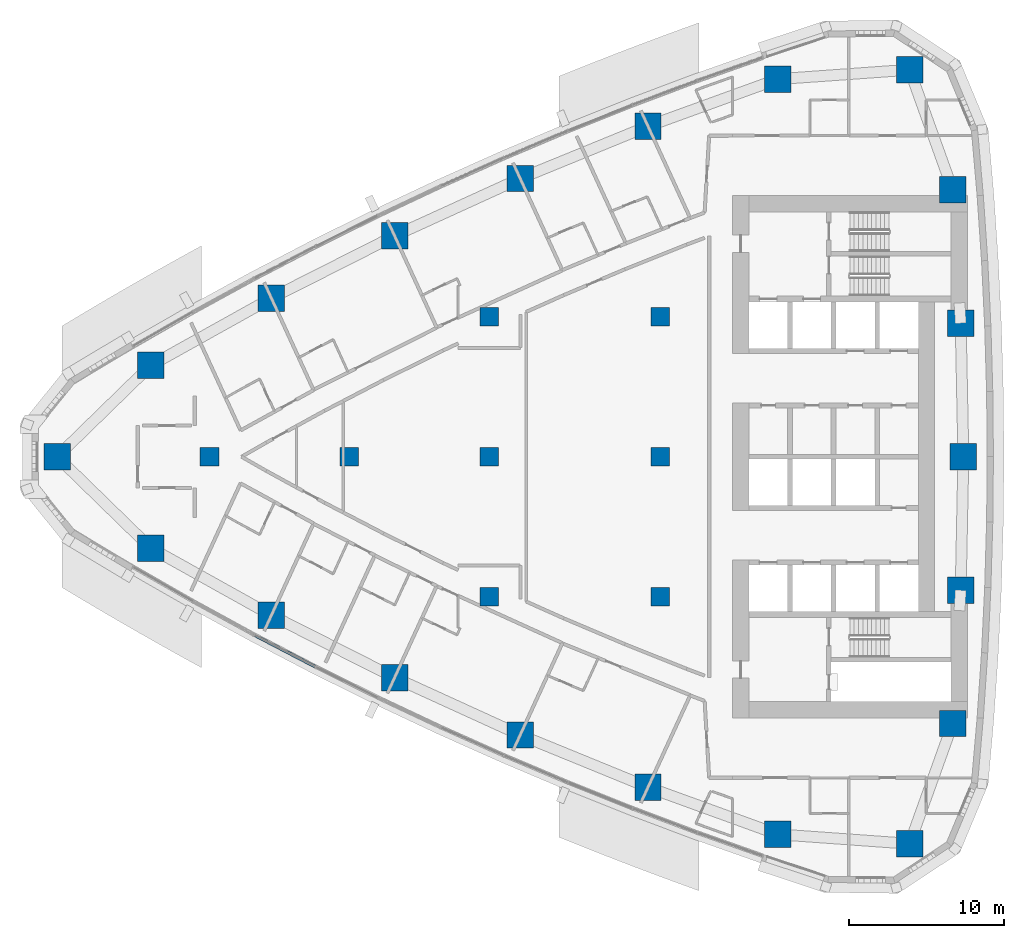
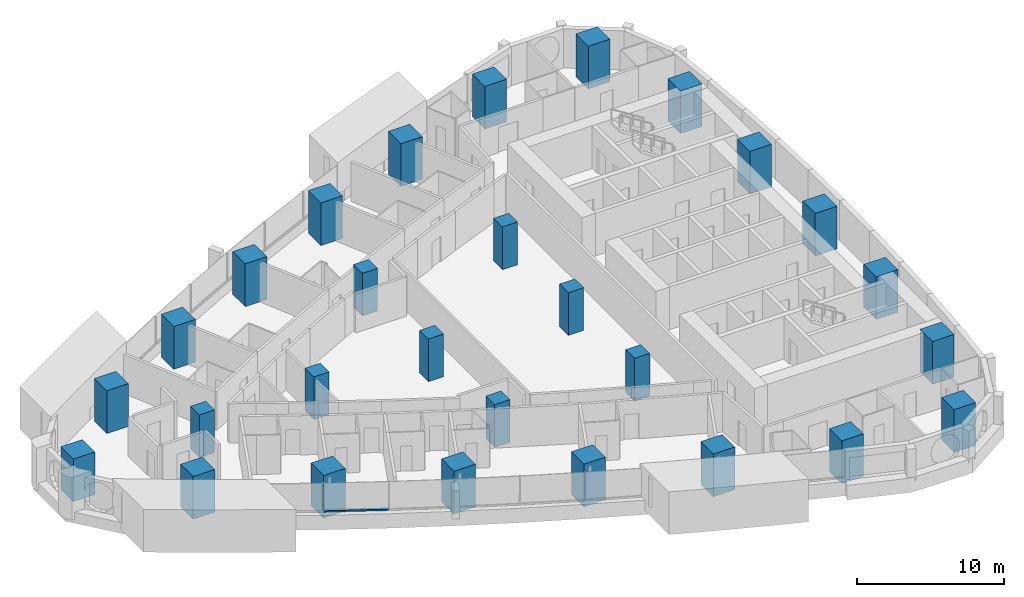
# One storey, part 1 of 17: 28 columns, 1 member, 1 element without a shape of its own.
"""IFC4 building model written with IfcOpenShell, lengths in metres."""

from ifc_helpers import new_model, si_unit, direction, frame, origin, origin_2d, place, context, subcontext, project, spatial, rectangle, extrude, material, layer, layer_set, material_profile, profile_set, type_object, element, aggregate, save


model = new_model("IFC4")

# Units and contexts
model_context = context("Model", 3, precision=1e-05, world=origin(), true_north=direction((0.0, 1.0)))
body_context = subcontext(model_context, "Body", "Model", "MODEL_VIEW")
ifc_project = project(units=[si_unit("LENGTHUNIT", "METRE"), si_unit("AREAUNIT", "SQUARE_METRE"), si_unit("VOLUMEUNIT", "CUBIC_METRE"), si_unit("PLANEANGLEUNIT", "RADIAN"), si_unit("MASSUNIT", "GRAM", prefix="KILO")], contexts=[model_context])

# Site, building, storey
site_placement = place(None, origin())
site = spatial("IfcSite", under=ifc_project, at=site_placement, CompositionType="ELEMENT")
building_placement = place(site_placement, origin())
building = spatial("IfcBuilding", under=site, at=building_placement, Name="Ostrand Prow Hotel Tower", CompositionType="ELEMENT")
storey_placement = place(building_placement, frame((0.0, 0.0, 99.10009765625)))
storey = spatial("IfcBuildingStorey", under=building, at=storey_placement, Name="L23", CompositionType="ELEMENT", Elevation=99.10009765625)

# Columns
ifc_material_1 = material(Name="Concrete C80/95", Category="concrete")
ifc_material_profile_1 = material_profile(ifc_material_1, rectangle(XDim=1.199951171875, YDim=1.199951171875, at=origin_2d()), Name="RC 1200x1200")
ifc_profile_set_1 = profile_set([ifc_material_profile_1], Name="Concrete C80/95")
column_type_1 = type_object("IfcColumnType", Name="Interior column 1200x1200 C80/95", PredefinedType="COLUMN", material=ifc_profile_set_1)
for number, where, z_axis, x_axis, name in (
    (1, (16.0, 0.0, 0.0), (0.0, 0.0, 1.0), (1.0, 0.0, 0.0), "Interior column 16C0"),
    (2, (25.0, 0.0, 0.0), (0.0, 0.0, 1.0), (1.0, 0.0, 0.0), "Interior column 25C0"),
    (3, (34.0, -9.0, 0.0), (0.0, 0.0, 1.0), (1.0, 0.0, 0.0), "Interior column 34S9"),
    (4, (34.0, 0.0, 0.0), (0.0, 0.0, 1.0), (1.0, 0.0, 0.0), "Interior column 34C0"),
    (5, (34.0, 9.0, 0.0), (0.0, 0.0, 1.0), (1.0, 0.0, 0.0), "Interior column 34N9"),
    (6, (45.0, -9.0, 0.0), (0.0, 0.0, 1.0), (1.0, 0.0, 0.0), "Interior column 45S9"),
    (7, (45.0, 0.0, 0.0), (0.0, 0.0, 1.0), (1.0, 0.0, 0.0), "Interior column 45C0"),
    (8, (45.0, 9.0, 0.0), (0.0, 0.0, 1.0), (1.0, 0.0, 0.0), "Interior column 45N9"),
):
    element("IfcColumn", number, at=place(storey_placement, frame(where, z_axis=z_axis, x_axis=x_axis)), inside=storey, type_object=column_type_1, Name=name, PredefinedType="COLUMN", context=body_context, shape_type="SweptSolid", body=[
        extrude(rectangle(XDim=1.199951171875, YDim=1.199951171875, at=origin_2d()), origin(), (0.0, 0.0, 1.0), 3.5498046875),
    ])
ifc_material_2 = material(Name="Concrete C80/95", Category="concrete")
ifc_material_profile_2 = material_profile(ifc_material_2, rectangle(XDim=1.699951171875, YDim=1.699951171875, at=origin_2d()), Name="RC 1700x1700")
ifc_profile_set_2 = profile_set([ifc_material_profile_2], Name="Concrete C80/95")
column_type_2 = type_object("IfcColumnType", Name="Stone-faced mega column 1700x1700 C80/95", PredefinedType="COLUMN", material=ifc_profile_set_2)
for number, where, z_axis, x_axis, name in (
    (9, (6.193115234375, 0.0, 0.0), (0.0, 0.0, 1.0), (1.0, 0.0, 0.0), "Mega column P"),
    (10, (12.221435546875, -5.876220703125, 0.0), (0.0, 0.0, 1.0), (1.0, 0.0, 0.0), "Mega column S1"),
    (11, (19.980712890625, -10.20166015625, 0.0), (0.0, 0.0, 1.0), (1.0, 0.0, 0.0), "Mega column S2"),
    (12, (27.906982421875, -14.212158203125, 0.0), (0.0, 0.0, 1.0), (1.0, 0.0, 0.0), "Mega column S3"),
    (13, (35.98828125, -17.901611328125, 0.0), (0.0, 0.0, 1.0), (1.0, 0.0, 0.0), "Mega column S4"),
    (14, (44.210693359375, -21.263671875, 0.0), (0.0, 0.0, 1.0), (1.0, 0.0, 0.0), "Mega column S5"),
    (15, (52.561767578125, -24.29296875, 0.0), (0.0, 0.0, 1.0), (1.0, 0.0, 0.0), "Mega column S6"),
    (16, (61.0400390625, -24.89697265625, 0.0), (0.0, 0.0, 1.0), (1.0, 0.0, 0.0), "Mega column SE"),
    (17, (63.815673828125, -17.16357421875, 0.0), (0.0, 0.0, 1.0), (1.0, 0.0, 0.0), "Mega column B1"),
    (18, (64.328857421875, -8.588623046875, 0.0), (0.0, 0.0, 1.0), (1.0, 0.0, 0.0), "Mega column B2"),
    (19, (64.5, 0.0, 0.0), (0.0, 0.0, 1.0), (1.0, 0.0, 0.0), "Mega column B3"),
    (20, (64.328857421875, 8.588623046875, 0.0), (0.0, 0.0, 1.0), (1.0, 0.0, 0.0), "Mega column B4"),
    (21, (63.815673828125, 17.16357421875, 0.0), (0.0, 0.0, 1.0), (1.0, 0.0, 0.0), "Mega column B5"),
    (22, (61.0400390625, 24.89697265625, 0.0), (0.0, 0.0, 1.0), (1.0, 0.0, 0.0), "Mega column NE"),
    (23, (52.561767578125, 24.29296875, 0.0), (0.0, 0.0, 1.0), (1.0, 0.0, 0.0), "Mega column N1"),
    (24, (44.210693359375, 21.263671875, 0.0), (0.0, 0.0, 1.0), (1.0, 0.0, 0.0), "Mega column N2"),
    (25, (35.98828125, 17.901611328125, 0.0), (0.0, 0.0, 1.0), (1.0, 0.0, 0.0), "Mega column N3"),
    (26, (27.906982421875, 14.212158203125, 0.0), (0.0, 0.0, 1.0), (1.0, 0.0, 0.0), "Mega column N4"),
    (27, (19.980712890625, 10.20166015625, 0.0), (0.0, 0.0, 1.0), (1.0, 0.0, 0.0), "Mega column N5"),
    (28, (12.221435546875, 5.876220703125, 0.0), (0.0, 0.0, 1.0), (1.0, 0.0, 0.0), "Mega column N6"),
):
    element("IfcColumn", number, at=place(storey_placement, frame(where, z_axis=z_axis, x_axis=x_axis)), inside=storey, type_object=column_type_2, Name=name, PredefinedType="COLUMN", context=body_context, shape_type="SweptSolid", body=[
        extrude(rectangle(XDim=1.699951171875, YDim=1.699951171875, at=origin_2d()), origin(), (0.0, 0.0, 1.0), 3.5498046875),
    ])

# Curtain wall, member
ifc_material_3 = material(Name="Insulated glass in bronze anodised frame", Category="glass")
ifc_layer = layer(ifc_material_3, 0.199951171875)
ifc_layer_set = layer_set([ifc_layer], Name="Insulated glass in bronze anodised frame")
curtain_wall_type = type_object("IfcCurtainWallType", Name="Strip curtain wall, fritted glass over bronze spandrel", PredefinedType="NOTDEFINED", material=ifc_layer_set)
curtain_wall_placement = place(storey_placement, origin())
curtain_wall = element("IfcCurtainWall", 29, at=curtain_wall_placement, inside=storey, type_object=curtain_wall_type, Name="CW1 run CWS2", PredefinedType="NOTDEFINED")
ifc_material_4 = material(Name="Bronze anodised aluminium", Category="aluminium")
ifc_material_profile_3 = material_profile(ifc_material_4, rectangle(XDim=0.199951171875, YDim=0.1201171875, at=origin_2d()), Name="Transom 120x200 bronze anodised aluminium")
ifc_profile_set_3 = profile_set([ifc_material_profile_3], Name="Bronze anodised aluminium")
member_type = type_object("IfcMemberType", Name="Transom 120x200 bronze anodised aluminium", PredefinedType="USERDEFINED", material=ifc_profile_set_3)
member_placement = place(storey_placement, frame((18.89697265625, -11.475830078125, 0.9599609375), z_axis=(0.886901787206, -0.461958028235, 0.0), x_axis=(0.461958028235, 0.886901787206, 0.0)))
member = element("IfcMember", 30, at=member_placement, type_object=member_type, Name="CW1 transom 1.1", ObjectType="TRANSOM", PredefinedType="USERDEFINED", context=body_context, shape_type="SweptSolid", body=[
    extrude(rectangle(XDim=0.199951171875, YDim=0.1201171875, at=origin_2d()), origin(), (0.0, 0.0, 1.0), 4.406005859375),
])
aggregate(curtain_wall, [member])

save(model, "model.ifc")
